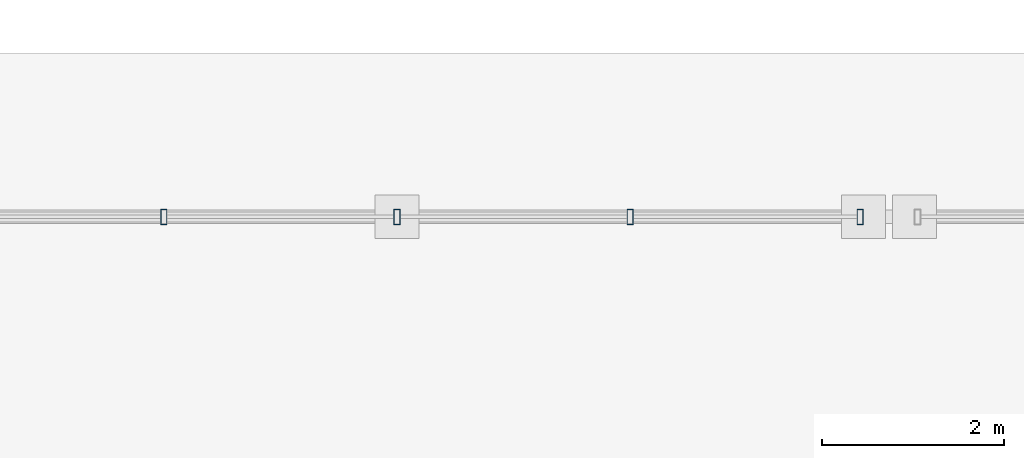
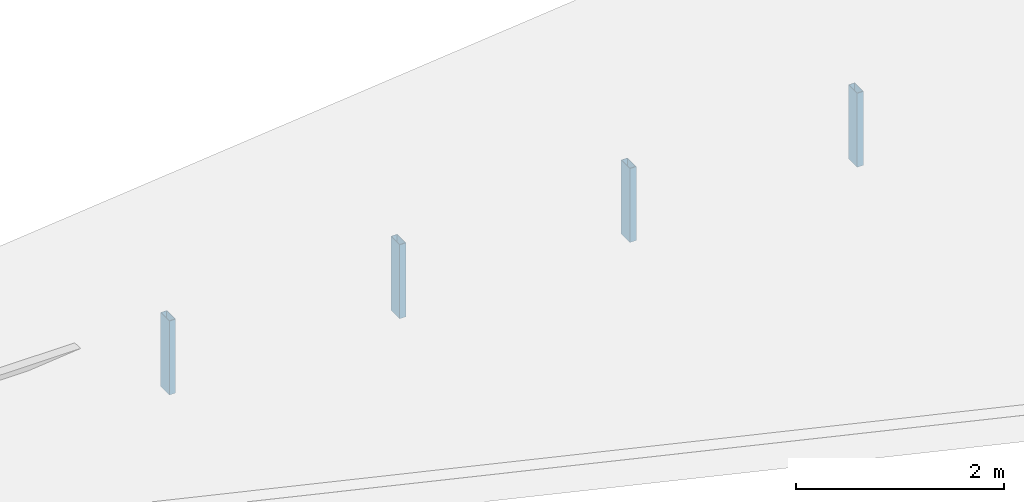
# One storey, part 81 of 117: 4 members, 1 element without a shape of its own.
"""IFC4 building model written with IfcOpenShell, lengths in metres."""

from ifc_helpers import new_model, si_unit, direction, frame, origin, origin_2d, place, context, subcontext, project, spatial, hollow_rectangle, extrude, material, material_profile, profile_set, type_object, element, aggregate, save


model = new_model("IFC4")

# Units and contexts
model_context = context("Model", 3, precision=1e-05, world=origin(), true_north=direction((0.0, 1.0)))
body_context = subcontext(model_context, "Body", "Model", "MODEL_VIEW")
ifc_project = project(units=[si_unit("LENGTHUNIT", "METRE"), si_unit("AREAUNIT", "SQUARE_METRE"), si_unit("VOLUMEUNIT", "CUBIC_METRE"), si_unit("PLANEANGLEUNIT", "RADIAN"), si_unit("MASSUNIT", "GRAM", prefix="KILO")], contexts=[model_context])

# Site, building, storey
site_placement = place(None, origin())
site = spatial("IfcSite", under=ifc_project, at=site_placement, CompositionType="ELEMENT")
building_placement = place(site_placement, origin())
building = spatial("IfcBuilding", under=site, at=building_placement, Name="Merenkruunu Market Hall", CompositionType="ELEMENT")
storey_placement = place(building_placement, frame((0.0, 0.0, 22.800048828125)))
storey = spatial("IfcBuildingStorey", under=building, at=storey_placement, Name="RF", CompositionType="ELEMENT", Elevation=22.800048828125)

# Curtain wall, members
ifc_material = material(Name="Powder-coated aluminium", Category="aluminium")
curtain_wall_type = type_object("IfcCurtainWallType", Name="Clerestory Curtain Band CL03", PredefinedType="USERDEFINED", material=ifc_material)
curtain_wall_placement = place(storey_placement, origin())
curtain_wall = element("IfcCurtainWall", 1, at=curtain_wall_placement, inside=storey, type_object=curtain_wall_type, Name="CW-RF-CWM04-243", ObjectType="CLERESTORY_BAND", PredefinedType="USERDEFINED")
ifc_material_profile = material_profile(ifc_material, hollow_rectangle(XDim=0.070068359375, YDim=0.169921875, WallThickness=0.0048828125, at=origin_2d()), Name="ALU 70x170x5")
ifc_profile_set = profile_set([ifc_material_profile], Name="Powder-coated aluminium")
member_type = type_object("IfcMemberType", Name="Curtain Wall Mullion CWM04", PredefinedType="MULLION", material=ifc_profile_set)
member_1_placement = place(storey_placement, frame((162.43994140625, 27.60009765625, -1.719970703125), z_axis=(0.0, 0.0, 1.0), x_axis=(1.0, 0.0, 0.0)))
member_1 = element("IfcMember", 2, at=member_1_placement, type_object=member_type, Name="CL03 mullion 2", PredefinedType="MULLION", context=body_context, shape_type="SweptSolid", body=[
    extrude(hollow_rectangle(XDim=0.070068359375, YDim=0.169921875, WallThickness=0.0048828125, at=origin_2d()), origin(), (0.0, 0.0, 1.0), 0.869873046875),
])
member_2_placement = place(storey_placement, frame((165.0, 27.60009765625, -1.719970703125), z_axis=(0.0, 0.0, 1.0), x_axis=(1.0, 0.0, 0.0)))
member_2 = element("IfcMember", 3, at=member_2_placement, type_object=member_type, Name="CL03 mullion 3", PredefinedType="MULLION", context=body_context, shape_type="SweptSolid", body=[
    extrude(hollow_rectangle(XDim=0.070068359375, YDim=0.169921875, WallThickness=0.0048828125, at=origin_2d()), origin(), (0.0, 0.0, 1.0), 0.869873046875),
])
member_3_placement = place(storey_placement, frame((167.56005859375, 27.60009765625, -1.719970703125), z_axis=(0.0, 0.0, 1.0), x_axis=(1.0, 0.0, 0.0)))
member_3 = element("IfcMember", 4, at=member_3_placement, type_object=member_type, Name="CL03 mullion 4", PredefinedType="MULLION", context=body_context, shape_type="SweptSolid", body=[
    extrude(hollow_rectangle(XDim=0.070068359375, YDim=0.169921875, WallThickness=0.0048828125, at=origin_2d()), origin(), (0.0, 0.0, 1.0), 0.869873046875),
])
member_4_placement = place(storey_placement, frame((170.0849609375, 27.60009765625, -1.719970703125), z_axis=(0.0, 0.0, 1.0), x_axis=(1.0, 0.0, 0.0)))
member_4 = element("IfcMember", 5, at=member_4_placement, type_object=member_type, Name="CL03 mullion 5", PredefinedType="MULLION", context=body_context, shape_type="SweptSolid", body=[
    extrude(hollow_rectangle(XDim=0.070068359375, YDim=0.169921875, WallThickness=0.0048828125, at=origin_2d()), origin(), (0.0, 0.0, 1.0), 0.869873046875),
])
aggregate(curtain_wall, [member_1, member_2, member_3, member_4])

save(model, "model.ifc")
